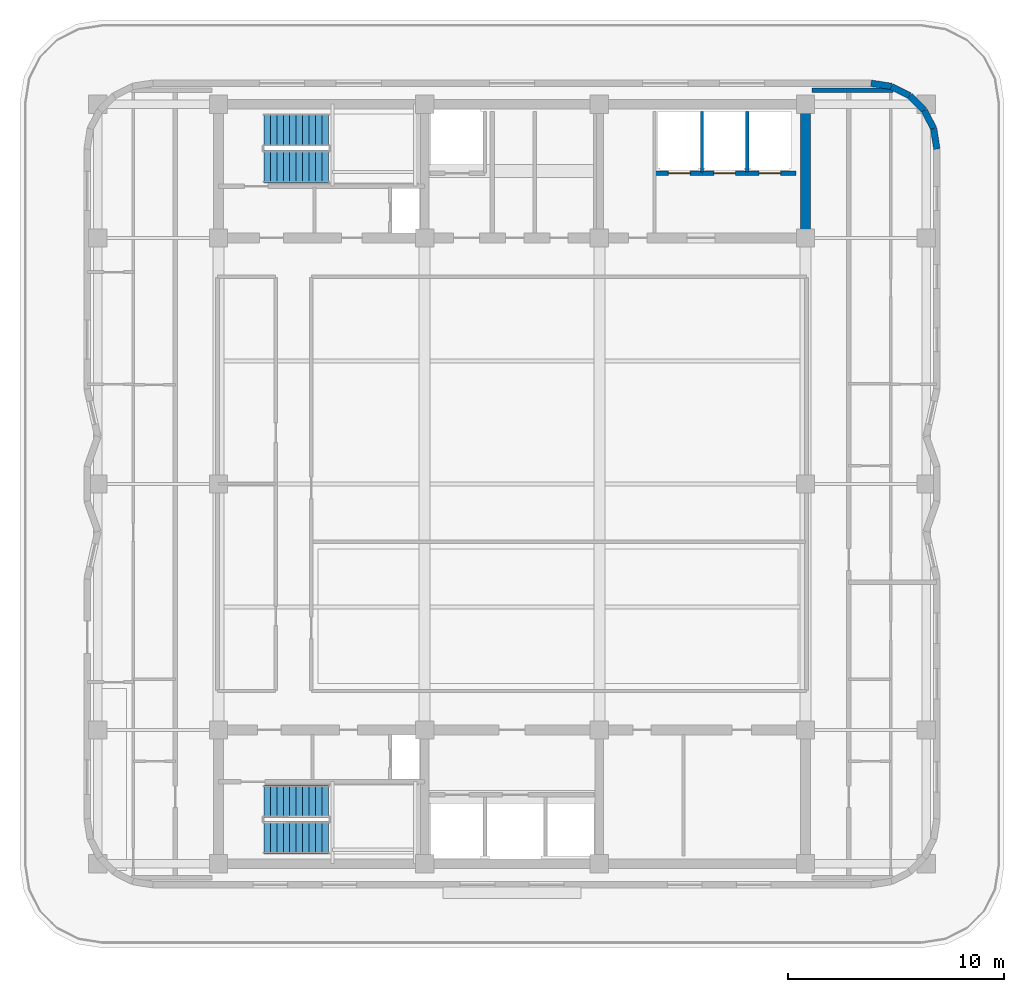
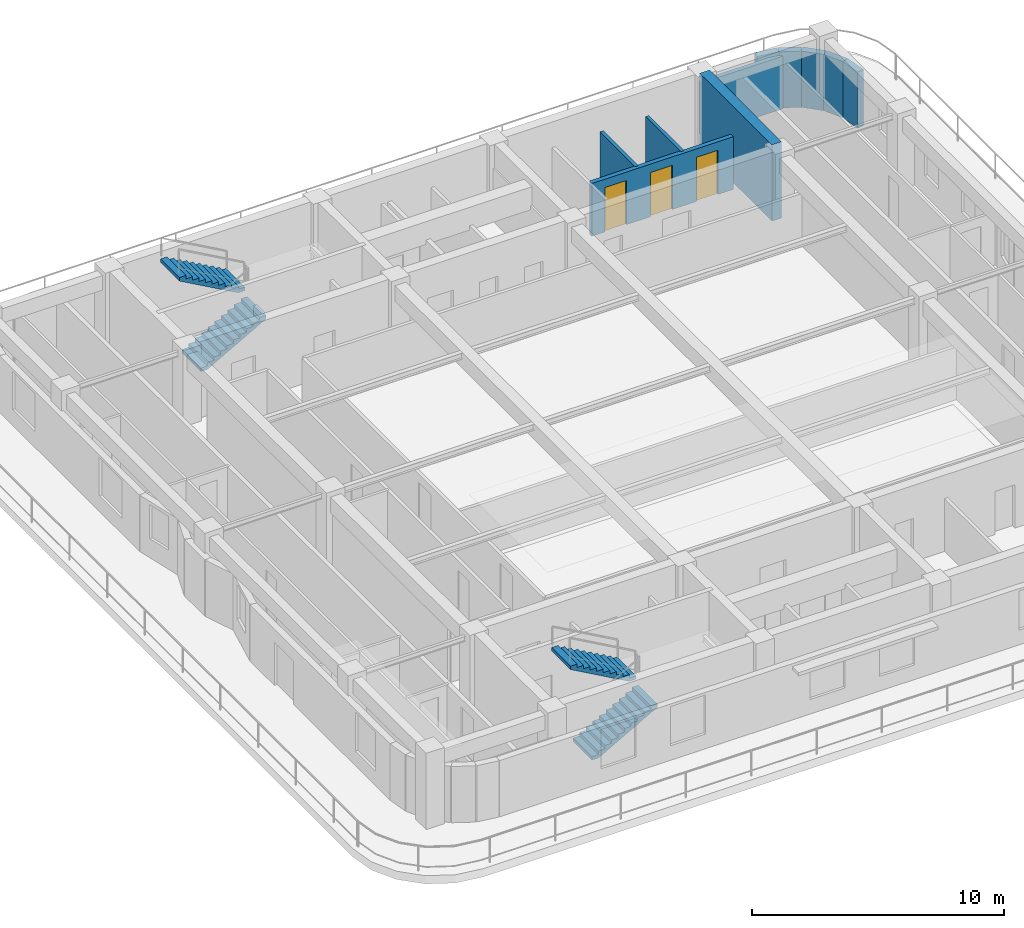
# One storey, part 6 of 9: 10 walls, 4 stair flights, 3 doors, 3 openings, 2 elements without a shape of their own.
"""IFC4 building model written with IfcOpenShell, lengths in metres."""

from ifc_helpers import new_model, si_unit, direction, frame, frame_2d, origin, place, context, subcontext, project, spatial, polyline, rectangle, outline, extrude, material, layer, layer_set, type_object, element, fill, aggregate, save


model = new_model("IFC4")

# Units and contexts
model_context = context("Model", 3, precision=1e-05, world=origin(), true_north=direction((0.0, 1.0)))
body_context = subcontext(model_context, "Body", "Model", "MODEL_VIEW")
ifc_project = project(units=[si_unit("LENGTHUNIT", "METRE"), si_unit("AREAUNIT", "SQUARE_METRE"), si_unit("VOLUMEUNIT", "CUBIC_METRE"), si_unit("PLANEANGLEUNIT", "RADIAN"), si_unit("MASSUNIT", "GRAM", prefix="KILO")], contexts=[model_context])

# Site, building, storey
site_placement = place(None, origin())
site = spatial("IfcSite", under=ifc_project, at=site_placement, CompositionType="ELEMENT")
building_placement = place(site_placement, origin())
building = spatial("IfcBuilding", under=site, at=building_placement, Name="Svetorya Sky Lyceum", CompositionType="ELEMENT")
storey_placement = place(building_placement, frame((0.0, 0.0, 225.800048828125)))
storey = spatial("IfcBuildingStorey", under=building, at=storey_placement, Name="L56", CompositionType="ELEMENT", Elevation=225.800048828125)

# Walls
ifc_material_1 = material(Name="Concrete C50/60", Category="concrete")
ifc_layer_1 = layer(ifc_material_1, 0.449951171875)
ifc_layer_set_1 = layer_set([ifc_layer_1], Name="Concrete C50/60")
wall_type_1 = type_object("IfcWallType", Name="WL-CORE-450", PredefinedType="SHEAR", material=ifc_layer_set_1)
wall_1_placement = place(storey_placement, frame((52.800048828125, 39.824951171875, 0.0), z_axis=(0.0, 0.0, 1.0), x_axis=(0.0, 1.0, 0.0)))
element("IfcWall", 1, at=wall_1_placement, inside=storey, type_object=wall_type_1, Name="L56 NC East Core Shear Wall", PredefinedType="SHEAR", context=body_context, shape_type="SweptSolid", body=[
    extrude(rectangle(XDim=5.75, YDim=0.449951171875, at=frame_2d((2.875, 0.0))), origin(), (0.0, 0.0, 1.0), 3.699951171875),
])
ifc_material_2 = material(Name="Putilovo limestone rainscreen on autoclaved cellular masonry", Category="masonry")
ifc_layer_2 = layer(ifc_material_2, 0.300048828125)
ifc_layer_set_2 = layer_set([ifc_layer_2], Name="Putilovo limestone rainscreen on autoclaved cellular masonry")
wall_type_2 = type_object("IfcWallType", Name="WL-EXT-300", PredefinedType="SOLIDWALL", material=ifc_layer_set_2)
wall_2_placement = place(storey_placement, frame((58.889892578125, 43.719970703125, 0.0), z_axis=(0.0, 0.0, 1.0), x_axis=(-0.156304114255, 0.987708977314, 0.0)))
element("IfcWall", 2, at=wall_2_placement, inside=storey, type_object=wall_type_2, Name="L56 Limestone Exterior Wall 19M", PredefinedType="SOLIDWALL", context=body_context, shape_type="SweptSolid", body=[
    extrude(rectangle(XDim=0.954345703125, YDim=0.300048828125, at=frame_2d((0.47705078125, 0.0))), origin(), (0.0, 0.0, 1.0), 2.72998046875),
])
wall_3_placement = place(storey_placement, frame((58.74072265625, 44.66259765625, 0.0), z_axis=(0.0, 0.0, 1.0), x_axis=(-0.45395644796, 0.891023873617, 0.0)))
element("IfcWall", 3, at=wall_3_placement, inside=storey, type_object=wall_type_2, Name="L56 Limestone Exterior Wall 20M", PredefinedType="SOLIDWALL", context=body_context, shape_type="SweptSolid", body=[
    extrude(rectangle(XDim=0.9541015625, YDim=0.300048828125, at=frame_2d((0.47705078125, 0.0))), origin(), (0.0, 0.0, 1.0), 2.72998046875),
])
for number, where, z_axis, x_axis, name in (
    (4, (58.3076171875, 45.5126953125, 0.0), (0.0, 0.0, 1.0), (-0.707106781187, 0.707106781187, 0.0), "L56 Limestone Exterior Wall 21M"),
    (5, (57.6328125, 46.1875, 0.0), (0.0, 0.0, 1.0), (-0.891076589373, 0.453852962833, 0.0), "L56 Limestone Exterior Wall 22M"),
):
    element("IfcWall", number, at=place(storey_placement, frame(where, z_axis=z_axis, x_axis=x_axis)), inside=storey, type_object=wall_type_2, Name=name, PredefinedType="SOLIDWALL", context=body_context, shape_type="SweptSolid", body=[
        extrude(rectangle(XDim=0.954345703125, YDim=0.300048828125, at=frame_2d((0.47705078125, 0.0))), origin(), (0.0, 0.0, 1.0), 2.72998046875),
    ])
wall_4_placement = place(storey_placement, frame((56.782470703125, 46.62060546875, 0.0), z_axis=(0.0, 0.0, 1.0), x_axis=(-0.987663181641, 0.156593229835, 0.0)))
element("IfcWall", 6, at=wall_4_placement, inside=storey, type_object=wall_type_2, Name="L56 Limestone Exterior Wall 23M", PredefinedType="SOLIDWALL", context=body_context, shape_type="SweptSolid", body=[
    extrude(rectangle(XDim=0.9541015625, YDim=0.300048828125, at=frame_2d((0.47705078125, 0.0))), origin(), (0.0, 0.0, 1.0), 2.72998046875),
])
ifc_material_3 = material(Name="Autoclaved cellular masonry blockwork with acoustic render", Category="masonry")
ifc_layer_3 = layer(ifc_material_3, 0.14990234375)
ifc_layer_set_3 = layer_set([ifc_layer_3], Name="Autoclaved cellular masonry blockwork with acoustic render")
wall_type_3 = type_object("IfcWallType", Name="WL-PART-150", PredefinedType="PARTITIONING", material=ifc_layer_set_3)
for number, where, z_axis, x_axis, name in (
    (7, (48.0, 42.64990234375, 0.0), (0.0, 0.0, 1.0), (0.0, 1.0, 0.0), "L56 Interior Partition NC-PH-D1"),
    (8, (50.10009765625, 42.64990234375, 0.0), (0.0, 0.0, 1.0), (0.0, 1.0, 0.0), "L56 Interior Partition NC-PH-D2"),
):
    element("IfcWall", number, at=place(storey_placement, frame(where, z_axis=z_axis, x_axis=x_axis)), inside=storey, type_object=wall_type_3, Name=name, PredefinedType="PARTITIONING", context=body_context, shape_type="SweptSolid", body=[
        extrude(rectangle(XDim=2.800048828125, YDim=0.14990234375, at=frame_2d((1.39990234375, 0.0))), origin(), (0.0, 0.0, 1.0), 2.56005859375),
    ])

# Wall, openings, doors
ifc_material_4 = material(Name="Autoclaved cellular masonry blockwork with gypsum plaster", Category="masonry")
ifc_layer_4 = layer(ifc_material_4, 0.199951171875)
ifc_layer_set_4 = layer_set([ifc_layer_4], Name="Autoclaved cellular masonry blockwork with gypsum plaster")
wall_type_4 = type_object("IfcWallType", Name="WL-PART-200", PredefinedType="PARTITIONING", material=ifc_layer_set_4)
wall_5_placement = place(storey_placement, frame((52.35009765625, 42.60009765625, 0.0), z_axis=(0.0, 0.0, 1.0), x_axis=(-1.0, 0.0, 0.0)))
wall_5 = element("IfcWall", 9, at=wall_5_placement, inside=storey, type_object=wall_type_4, Name="L56 Interior Partition NC-PHEW", PredefinedType="PARTITIONING", context=body_context, shape_type="SweptSolid", body=[
    extrude(rectangle(XDim=6.5, YDim=0.199951171875, at=frame_2d((3.25, 0.0))), origin(), (0.0, 0.0, 1.0), 2.56005859375),
])
opening_1_placement = place(wall_5_placement, frame((4.89990234375, 0.0, 0.0)))
opening_1 = element("IfcOpeningElement", 10, at=opening_1_placement, cuts=wall_5, Name="Opening LD-P1", PredefinedType="OPENING", context=body_context, shape_type="SweptSolid", body=[
    extrude(rectangle(XDim=1.0, YDim=2.14990234375, at=frame_2d((0.5, 1.074951171875))), frame((0.0, 0.10986328125, 0.0), z_axis=(0.0, -1.0, 0.0), x_axis=(1.0, 0.0, 0.0)), (0.0, 0.0, 1.0), 0.219970703125),
])
opening_2_placement = place(wall_5_placement, frame((2.800048828125, 0.0, 0.0)))
opening_2 = element("IfcOpeningElement", 11, at=opening_2_placement, cuts=wall_5, Name="Opening LD-P1", PredefinedType="OPENING", context=body_context, shape_type="SweptSolid", body=[
    extrude(rectangle(XDim=1.0, YDim=2.14990234375, at=frame_2d((0.5, 1.074951171875))), frame((0.0, 0.10986328125, 0.0), z_axis=(0.0, -1.0, 0.0), x_axis=(1.0, 0.0, 0.0)), (0.0, 0.0, 1.0), 0.219970703125),
])
opening_3_placement = place(wall_5_placement, frame((0.699951171875, 0.0, 0.0)))
opening_3 = element("IfcOpeningElement", 12, at=opening_3_placement, cuts=wall_5, Name="Opening LD-P1", PredefinedType="OPENING", context=body_context, shape_type="SweptSolid", body=[
    extrude(rectangle(XDim=1.0, YDim=2.14990234375, at=frame_2d((0.5, 1.074951171875))), frame((0.0, 0.10986328125, 0.0), z_axis=(0.0, -1.0, 0.0), x_axis=(1.0, 0.0, 0.0)), (0.0, 0.0, 1.0), 0.219970703125),
])
ifc_material_5 = material(Name="Champagne-anodized stainless passenger lift landing door")
door_type = type_object("IfcDoorType", Name="DR-LIFT-1000", OperationType="SLIDING_TO_LEFT", PredefinedType="DOOR", material=ifc_material_5)
door_1_placement = place(opening_1_placement, origin())
door_1 = element("IfcDoor", 13, at=door_1_placement, inside=storey, type_object=door_type, Name="L56 Passenger Lift PH1 Landing Door", OperationType="SLIDING_TO_LEFT", OverallHeight=2.14990234375, OverallWidth=1.0, PredefinedType="DOOR", context=body_context, shape_type="SweptSolid", body=[
    extrude(rectangle(XDim=1.0, YDim=2.14990234375, at=frame_2d((0.5, 1.074951171875))), frame((0.0, 0.02490234375, 0.0), z_axis=(0.0, -1.0, 0.0), x_axis=(1.0, 0.0, 0.0)), (0.0, 0.0, 1.0), 0.050048828125),
])
fill(opening_1, door_1)
door_2_placement = place(opening_2_placement, origin())
door_2 = element("IfcDoor", 14, at=door_2_placement, inside=storey, type_object=door_type, Name="L56 Passenger Lift PH2 Landing Door", OperationType="SLIDING_TO_LEFT", OverallHeight=2.14990234375, OverallWidth=1.0, PredefinedType="DOOR", context=body_context, shape_type="SweptSolid", body=[
    extrude(rectangle(XDim=1.0, YDim=2.14990234375, at=frame_2d((0.5, 1.074951171875))), frame((0.0, 0.02490234375, 0.0), z_axis=(0.0, -1.0, 0.0), x_axis=(1.0, 0.0, 0.0)), (0.0, 0.0, 1.0), 0.050048828125),
])
fill(opening_2, door_2)
door_3_placement = place(opening_3_placement, origin())
door_3 = element("IfcDoor", 15, at=door_3_placement, inside=storey, type_object=door_type, Name="L56 Passenger Lift PH3 Landing Door", OperationType="SLIDING_TO_LEFT", OverallHeight=2.14990234375, OverallWidth=1.0, PredefinedType="DOOR", context=body_context, shape_type="SweptSolid", body=[
    extrude(rectangle(XDim=1.0, YDim=2.14990234375, at=frame_2d((0.5, 1.074951171875))), frame((0.0, 0.02490234375, 0.0), z_axis=(0.0, -1.0, 0.0), x_axis=(1.0, 0.0, 0.0)), (0.0, 0.0, 1.0), 0.050048828125),
])
fill(opening_3, door_3)

# Wall
wall_6_placement = place(storey_placement, frame((53.10009765625, 46.449951171875, 0.0), z_axis=(0.0, 0.0, 1.0), x_axis=(1.0, 0.0, 0.0)))
element("IfcWall", 16, at=wall_6_placement, inside=storey, type_object=wall_type_4, Name="L56 Interior Partition E-CAP-N", PredefinedType="PARTITIONING", context=body_context, shape_type="SweptSolid", body=[
    extrude(rectangle(XDim=3.75390625, YDim=0.199951171875, at=frame_2d((1.876953125, 0.0))), origin(), (0.0, 0.0, 1.0), 2.56005859375),
])

# Stair, stair flights
ifc_material_6 = material(Name="Concrete C40/50", Category="concrete")
stair_type_1 = type_object("IfcStairType", Name="STR-ST-N", PredefinedType="HALF_TURN_STAIR", material=ifc_material_6)
stair_1_placement = place(storey_placement, origin())
stair_1 = element("IfcStair", 17, at=stair_1_placement, inside=storey, type_object=stair_type_1, Name="L56 North Core Smoke-Free Exit Stair N3", PredefinedType="HALF_TURN_STAIR")
stair_flight_type_1 = type_object("IfcStairFlightType", Name="SFL-ST-N", PredefinedType="STRAIGHT", material=ifc_material_6)
stair_flight_1_placement = place(storey_placement, frame((27.699951171875, 42.89990234375, 0.0), z_axis=(0.0, 0.0, 1.0), x_axis=(1.0, 0.0, 0.0)))
stair_flight_1 = element("IfcStairFlight", 18, at=stair_flight_1_placement, type_object=stair_flight_type_1, Name="ST-N flight 1", NumberOfRisers=11, NumberOfTreads=10, PredefinedType="STRAIGHT", RiserHeight=0.168181818, TreadLength=0.3, context=body_context, shape_type="SweptSolid", body=[
    extrude(outline(polyline([(0.0, 0.0), (0.0, 0.168212890625), (0.300048828125, 0.168212890625), (0.300048828125, 0.33642578125), (0.60009765625, 0.33642578125), (0.60009765625, 0.504638671875), (0.89990234375, 0.504638671875), (0.89990234375, 0.672607421875), (1.199951171875, 0.672607421875), (1.199951171875, 0.8408203125), (1.5, 0.8408203125), (1.5, 1.009033203125), (1.800048828125, 1.009033203125), (1.800048828125, 1.17724609375), (2.10009765625, 1.17724609375), (2.10009765625, 1.345458984375), (2.39990234375, 1.345458984375), (2.39990234375, 1.513671875), (2.699951171875, 1.513671875), (2.699951171875, 1.681884765625), (3.0, 1.681884765625), (3.0, 1.85009765625), (3.0, 1.510009765625), (0.306640625, 0.0), (0.0, 0.0)])), frame((0.0, 0.75, 0.0), z_axis=(0.0, -1.0, 0.0), x_axis=(1.0, 0.0, 0.0)), (0.0, 0.0, 1.0), 1.5),
])
stair_flight_2_placement = place(storey_placement, frame((30.699951171875, 44.60009765625, 1.849853515625), z_axis=(0.0, 0.0, 1.0), x_axis=(-1.0, 0.0, 0.0)))
stair_flight_2 = element("IfcStairFlight", 19, at=stair_flight_2_placement, type_object=stair_flight_type_1, Name="ST-N flight 2", NumberOfRisers=11, NumberOfTreads=10, PredefinedType="STRAIGHT", RiserHeight=0.168181818, TreadLength=0.3, context=body_context, shape_type="SweptSolid", body=[
    extrude(outline(polyline([(0.0, 0.0), (0.0, 0.168212890625), (0.300048828125, 0.168212890625), (0.300048828125, 0.33642578125), (0.60009765625, 0.33642578125), (0.60009765625, 0.504638671875), (0.89990234375, 0.504638671875), (0.89990234375, 0.672607421875), (1.199951171875, 0.672607421875), (1.199951171875, 0.8408203125), (1.5, 0.8408203125), (1.5, 1.009033203125), (1.800048828125, 1.009033203125), (1.800048828125, 1.17724609375), (2.10009765625, 1.17724609375), (2.10009765625, 1.345458984375), (2.39990234375, 1.345458984375), (2.39990234375, 1.513671875), (2.699951171875, 1.513671875), (2.699951171875, 1.681884765625), (3.0, 1.681884765625), (3.0, 1.85009765625), (3.0, 1.510009765625), (0.306640625, 0.0), (0.0, 0.0)])), frame((0.0, 0.75, 0.0), z_axis=(0.0, -1.0, 0.0), x_axis=(1.0, 0.0, 0.0)), (0.0, 0.0, 1.0), 1.5),
])
aggregate(stair_1, [stair_flight_1, stair_flight_2])

stair_type_2 = type_object("IfcStairType", Name="STR-ST-S", PredefinedType="HALF_TURN_STAIR", material=ifc_material_6)
stair_2_placement = place(storey_placement, origin())
stair_2 = element("IfcStair", 20, at=stair_2_placement, inside=storey, type_object=stair_type_2, Name="L56 South Core Smoke-Free Exit Stair N2", PredefinedType="HALF_TURN_STAIR")
stair_flight_type_2 = type_object("IfcStairFlightType", Name="SFL-ST-S", PredefinedType="STRAIGHT", material=ifc_material_6)
stair_flight_3_placement = place(storey_placement, frame((27.699951171875, 11.800048828125, 0.0), z_axis=(0.0, 0.0, 1.0), x_axis=(1.0, 0.0, 0.0)))
stair_flight_3 = element("IfcStairFlight", 21, at=stair_flight_3_placement, type_object=stair_flight_type_2, Name="ST-S flight 1", NumberOfRisers=11, NumberOfTreads=10, PredefinedType="STRAIGHT", RiserHeight=0.168181818, TreadLength=0.3, context=body_context, shape_type="SweptSolid", body=[
    extrude(outline(polyline([(0.0, 0.0), (0.0, 0.168212890625), (0.300048828125, 0.168212890625), (0.300048828125, 0.33642578125), (0.60009765625, 0.33642578125), (0.60009765625, 0.504638671875), (0.89990234375, 0.504638671875), (0.89990234375, 0.672607421875), (1.199951171875, 0.672607421875), (1.199951171875, 0.8408203125), (1.5, 0.8408203125), (1.5, 1.009033203125), (1.800048828125, 1.009033203125), (1.800048828125, 1.17724609375), (2.10009765625, 1.17724609375), (2.10009765625, 1.345458984375), (2.39990234375, 1.345458984375), (2.39990234375, 1.513671875), (2.699951171875, 1.513671875), (2.699951171875, 1.681884765625), (3.0, 1.681884765625), (3.0, 1.85009765625), (3.0, 1.510009765625), (0.306640625, 0.0), (0.0, 0.0)])), frame((0.0, 0.75, 0.0), z_axis=(0.0, -1.0, 0.0), x_axis=(1.0, 0.0, 0.0)), (0.0, 0.0, 1.0), 1.5),
])
stair_flight_4_placement = place(storey_placement, frame((30.699951171875, 13.5, 1.849853515625), z_axis=(0.0, 0.0, 1.0), x_axis=(-1.0, 0.0, 0.0)))
stair_flight_4 = element("IfcStairFlight", 22, at=stair_flight_4_placement, type_object=stair_flight_type_2, Name="ST-S flight 2", NumberOfRisers=11, NumberOfTreads=10, PredefinedType="STRAIGHT", RiserHeight=0.168181818, TreadLength=0.3, context=body_context, shape_type="SweptSolid", body=[
    extrude(outline(polyline([(0.0, 0.0), (0.0, 0.168212890625), (0.300048828125, 0.168212890625), (0.300048828125, 0.33642578125), (0.60009765625, 0.33642578125), (0.60009765625, 0.504638671875), (0.89990234375, 0.504638671875), (0.89990234375, 0.672607421875), (1.199951171875, 0.672607421875), (1.199951171875, 0.8408203125), (1.5, 0.8408203125), (1.5, 1.009033203125), (1.800048828125, 1.009033203125), (1.800048828125, 1.17724609375), (2.10009765625, 1.17724609375), (2.10009765625, 1.345458984375), (2.39990234375, 1.345458984375), (2.39990234375, 1.513671875), (2.699951171875, 1.513671875), (2.699951171875, 1.681884765625), (3.0, 1.681884765625), (3.0, 1.85009765625), (3.0, 1.510009765625), (0.306640625, 0.0), (0.0, 0.0)])), frame((0.0, 0.75, 0.0), z_axis=(0.0, -1.0, 0.0), x_axis=(1.0, 0.0, 0.0)), (0.0, 0.0, 1.0), 1.5),
])
aggregate(stair_2, [stair_flight_3, stair_flight_4])

save(model, "model.ifc")
